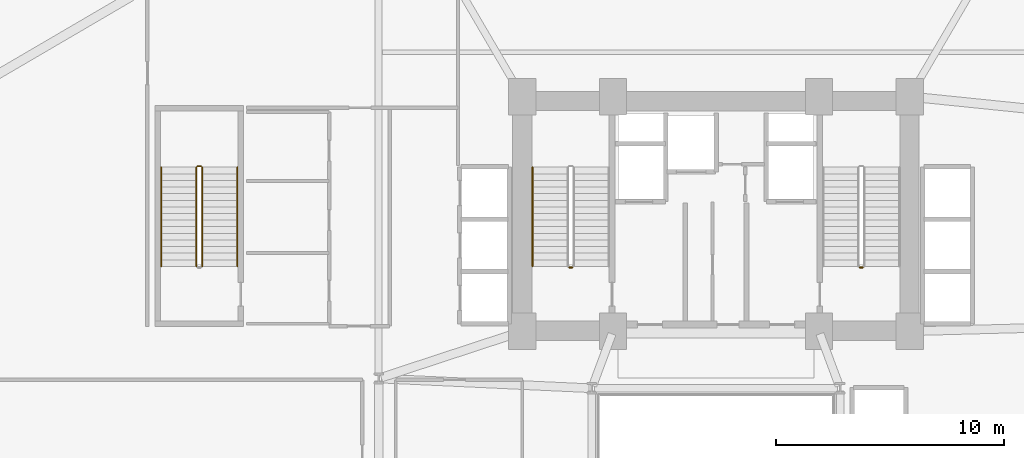
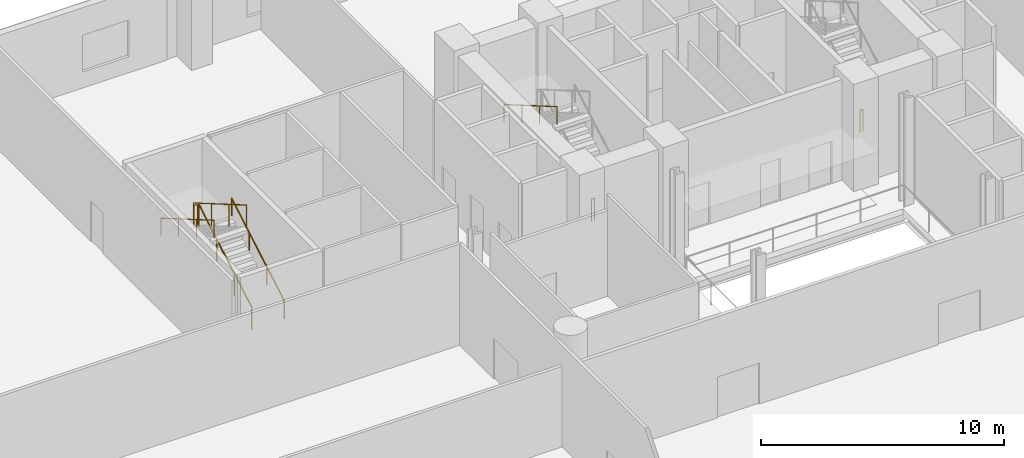
# One storey, part 28 of 31: 8 railings.
"""IFC4 building model written with IfcOpenShell, lengths in metres."""

from ifc_helpers import new_model, si_unit, direction, frame, origin, origin_2d, place, context, subcontext, project, spatial, circle, extrude, material, type_object, element, save


model = new_model("IFC4")

# Units and contexts
model_context = context("Model", 3, precision=1e-05, world=origin(), true_north=direction((0.0, 1.0)))
body_context = subcontext(model_context, "Body", "Model", "MODEL_VIEW")
ifc_project = project(units=[si_unit("LENGTHUNIT", "METRE"), si_unit("AREAUNIT", "SQUARE_METRE"), si_unit("VOLUMEUNIT", "CUBIC_METRE"), si_unit("PLANEANGLEUNIT", "RADIAN"), si_unit("MASSUNIT", "GRAM", prefix="KILO")], contexts=[model_context])

# Site, building, storey
site_placement = place(None, origin())
site = spatial("IfcSite", under=ifc_project, at=site_placement, CompositionType="ELEMENT")
building_placement = place(site_placement, origin())
building = spatial("IfcBuilding", under=site, at=building_placement, Name="Varnelok Gate Tower", CompositionType="ELEMENT")
storey_placement = place(building_placement, frame((0.0, 0.0, 16.199951171875)))
storey = spatial("IfcBuildingStorey", under=building, at=storey_placement, Name="L03", CompositionType="ELEMENT", Elevation=16.199951171875)

# Railings
ifc_material_1 = material(Name="Brushed Stainless Steel AISI 316", Category="steel")
railing_type_1 = type_object("IfcRailingType", Name="RL-HANDRAIL-900", PredefinedType="HANDRAIL", material=ifc_material_1)
railing_1_placement = place(storey_placement, frame((31.14990234375, 35.949951171875, 2.868896484375)))
element("IfcRailing", 1, at=railing_1_placement, inside=storey, type_object=railing_type_1, Name="L03 ST-1 stair handrail 2", PredefinedType="HANDRAIL", context=body_context, shape_type="SweptSolid", body=[
    extrude(circle(Radius=0.02392578125, at=origin_2d()), frame((0.0, 0.0, 0.8759765625), z_axis=(0.0, -0.864311530196, 0.502956835891), x_axis=(1.0, 0.0, 0.0)), (0.0, 0.0, 1.0), 5.03271484375),
    extrude(circle(Radius=0.02099609375, at=origin_2d()), origin(), (0.0, 0.0, 1.0), 0.851806640625),
    extrude(circle(Radius=0.02099609375, at=origin_2d()), frame((0.0, -1.449951171875, 0.84375)), (0.0, 0.0, 1.0), 0.851806640625),
    extrude(circle(Radius=0.02099609375, at=origin_2d()), frame((0.0, -2.89990234375, 1.6875)), (0.0, 0.0, 1.0), 0.851806640625),
    extrude(circle(Radius=0.02099609375, at=origin_2d()), frame((0.0, -4.349853515625, 2.53125)), (0.0, 0.0, 1.0), 0.851806640625),
])
railing_2_placement = place(storey_placement, frame((18.199951171875, 31.60009765625, 0.168701171875)))
element("IfcRailing", 2, at=railing_2_placement, inside=storey, type_object=railing_type_1, Name="L03 ST-3 stair handrail 1", PredefinedType="HANDRAIL", context=body_context, shape_type="SweptSolid", body=[
    extrude(circle(Radius=0.02392578125, at=origin_2d()), frame((0.0, 0.0, 0.8759765625), z_axis=(0.0, 0.864311530196, 0.502956835891), x_axis=(-1.0, 0.0, 0.0)), (0.0, 0.0, 1.0), 5.03271484375),
    extrude(circle(Radius=0.02099609375, at=origin_2d()), origin(), (0.0, 0.0, 1.0), 0.851806640625),
    extrude(circle(Radius=0.02099609375, at=origin_2d()), frame((0.0, 1.449951171875, 0.84375)), (0.0, 0.0, 1.0), 0.851806640625),
    extrude(circle(Radius=0.02099609375, at=origin_2d()), frame((0.0, 2.89990234375, 1.6875)), (0.0, 0.0, 1.0), 0.851806640625),
    extrude(circle(Radius=0.02099609375, at=origin_2d()), frame((0.0, 4.349853515625, 2.53125)), (0.0, 0.0, 1.0), 0.851806640625),
])
railing_3_placement = place(storey_placement, frame((14.85009765625, 35.949951171875, 2.868896484375)))
element("IfcRailing", 3, at=railing_3_placement, inside=storey, type_object=railing_type_1, Name="L03 ST-3 stair handrail 2", PredefinedType="HANDRAIL", context=body_context, shape_type="SweptSolid", body=[
    extrude(circle(Radius=0.02392578125, at=origin_2d()), frame((0.0, 0.0, 0.8759765625), z_axis=(0.0, -0.864311530196, 0.502956835891), x_axis=(1.0, 0.0, 0.0)), (0.0, 0.0, 1.0), 5.03271484375),
    extrude(circle(Radius=0.02099609375, at=origin_2d()), origin(), (0.0, 0.0, 1.0), 0.851806640625),
    extrude(circle(Radius=0.02099609375, at=origin_2d()), frame((0.0, -1.449951171875, 0.84375)), (0.0, 0.0, 1.0), 0.851806640625),
    extrude(circle(Radius=0.02099609375, at=origin_2d()), frame((0.0, -2.89990234375, 1.6875)), (0.0, 0.0, 1.0), 0.851806640625),
    extrude(circle(Radius=0.02099609375, at=origin_2d()), frame((0.0, -4.349853515625, 2.53125)), (0.0, 0.0, 1.0), 0.851806640625),
])
ifc_material_2 = material(Name="Galvanized Steel Grade S350GD", Category="steel")
railing_type_2 = type_object("IfcRailingType", Name="RL-STAIR-GUARD1120", PredefinedType="GUARDRAIL", material=ifc_material_2)
for number, where, name in (
    (4, (32.89990234375, 31.550048828125, 0.0), "L03 ST-1 stair guard 4"),
    (5, (45.64990234375, 31.550048828125, 0.0), "L03 ST-2 stair guard 4"),
):
    element("IfcRailing", number, at=place(storey_placement, frame(where)), inside=storey, type_object=railing_type_2, Name=name, PredefinedType="GUARDRAIL", context=body_context, shape_type="SweptSolid", body=[
        extrude(circle(Radius=0.02392578125, at=origin_2d()), frame((0.0, 0.0, 1.09619140625), z_axis=(-1.0, 0.0, 0.0), x_axis=(0.0, -1.0, 0.0)), (0.0, 0.0, 1.0), 0.14990234375),
        extrude(circle(Radius=0.02099609375, at=origin_2d()), origin(), (0.0, 0.0, 1.0), 1.072021484375),
        extrude(circle(Radius=0.02099609375, at=origin_2d()), frame((-0.14990234375, 0.0, 0.0)), (0.0, 0.0, 1.0), 1.072021484375),
    ])
railing_4_placement = place(storey_placement, frame((16.64990234375, 31.60009765625, 0.168701171875)))
element("IfcRailing", 6, at=railing_4_placement, inside=storey, type_object=railing_type_2, Name="L03 ST-3 stair guard 1", PredefinedType="GUARDRAIL", context=body_context, shape_type="SweptSolid", body=[
    extrude(circle(Radius=0.02392578125, at=origin_2d()), frame((0.0, 0.0, 1.09619140625), z_axis=(0.0, 0.864311530196, 0.502956835891), x_axis=(-1.0, 0.0, 0.0)), (0.0, 0.0, 1.0), 5.03271484375),
    extrude(circle(Radius=0.02099609375, at=origin_2d()), origin(), (0.0, 0.0, 1.0), 1.072021484375),
    extrude(circle(Radius=0.02099609375, at=origin_2d()), frame((0.0, 1.449951171875, 0.84375)), (0.0, 0.0, 1.0), 1.072021484375),
    extrude(circle(Radius=0.02099609375, at=origin_2d()), frame((0.0, 2.89990234375, 1.6875)), (0.0, 0.0, 1.0), 1.072021484375),
    extrude(circle(Radius=0.02099609375, at=origin_2d()), frame((0.0, 4.349853515625, 2.53125)), (0.0, 0.0, 1.0), 1.072021484375),
])
railing_5_placement = place(storey_placement, frame((16.60009765625, 36.0, 2.699951171875)))
element("IfcRailing", 7, at=railing_5_placement, inside=storey, type_object=railing_type_2, Name="L03 ST-3 stair guard 2", PredefinedType="GUARDRAIL", context=body_context, shape_type="SweptSolid", body=[
    extrude(circle(Radius=0.02392578125, at=origin_2d()), frame((0.0, 0.0, 1.09619140625), z_axis=(-1.0, 0.0, 0.0), x_axis=(0.0, -1.0, 0.0)), (0.0, 0.0, 1.0), 0.150146484375),
    extrude(circle(Radius=0.02099609375, at=origin_2d()), origin(), (0.0, 0.0, 1.0), 1.072021484375),
    extrude(circle(Radius=0.02099609375, at=origin_2d()), frame((-0.150146484375, 0.0, 0.0)), (0.0, 0.0, 1.0), 1.072021484375),
])
railing_6_placement = place(storey_placement, frame((16.39990234375, 35.949951171875, 2.868896484375)))
element("IfcRailing", 8, at=railing_6_placement, inside=storey, type_object=railing_type_2, Name="L03 ST-3 stair guard 3", PredefinedType="GUARDRAIL", context=body_context, shape_type="SweptSolid", body=[
    extrude(circle(Radius=0.02392578125, at=origin_2d()), frame((0.0, 0.0, 1.09619140625), z_axis=(0.0, -0.864311530196, 0.502956835891), x_axis=(1.0, 0.0, 0.0)), (0.0, 0.0, 1.0), 5.03271484375),
    extrude(circle(Radius=0.02099609375, at=origin_2d()), origin(), (0.0, 0.0, 1.0), 1.072021484375),
    extrude(circle(Radius=0.02099609375, at=origin_2d()), frame((0.0, -1.449951171875, 0.84375)), (0.0, 0.0, 1.0), 1.072021484375),
    extrude(circle(Radius=0.02099609375, at=origin_2d()), frame((0.0, -2.89990234375, 1.6875)), (0.0, 0.0, 1.0), 1.072021484375),
    extrude(circle(Radius=0.02099609375, at=origin_2d()), frame((0.0, -4.349853515625, 2.53125)), (0.0, 0.0, 1.0), 1.072021484375),
])

save(model, "model.ifc")
